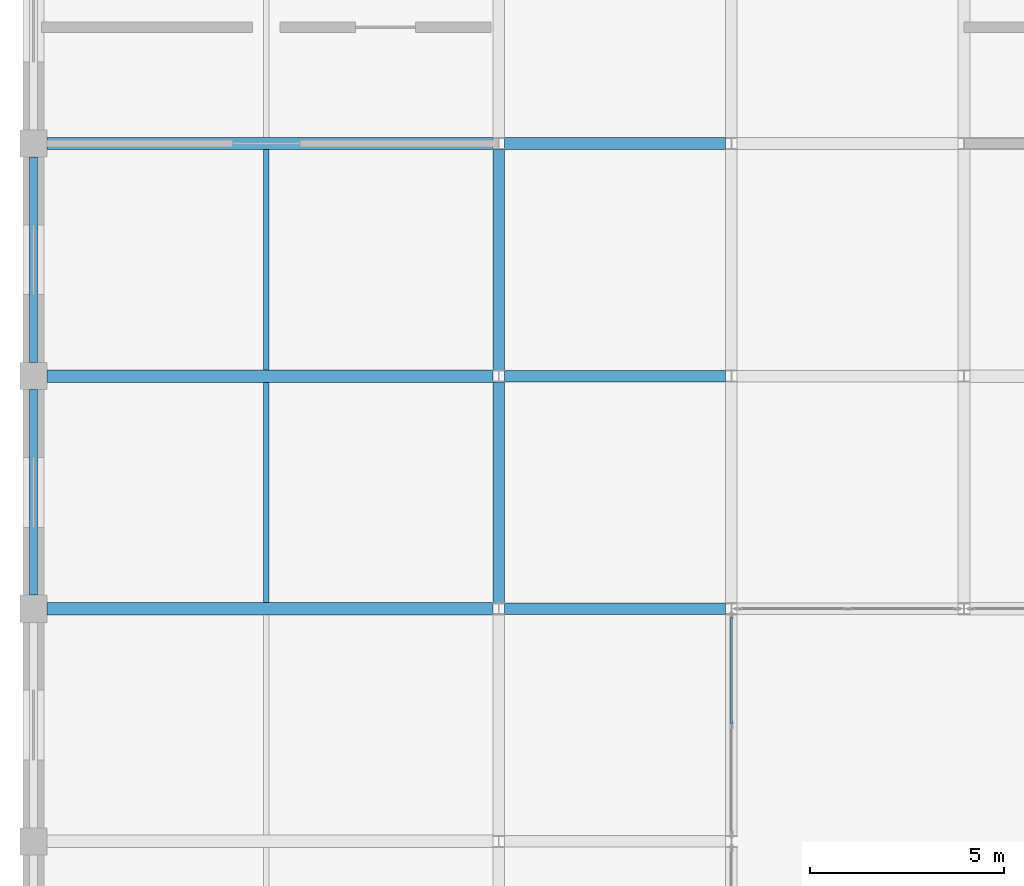
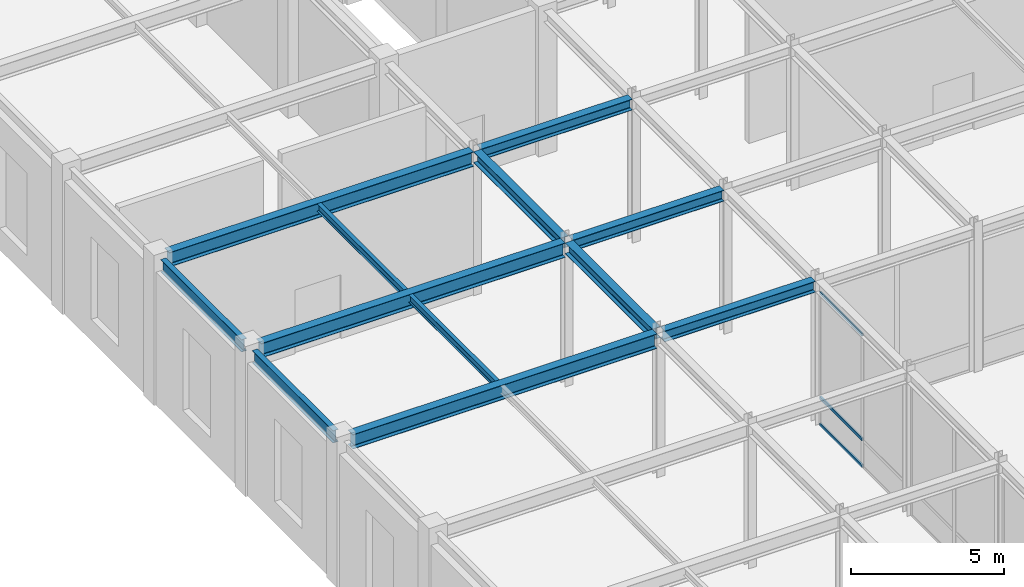
# One storey, part 68 of 108: 12 beams, 3 members, 1 element without a shape of its own.
"""IFC4 building model written with IfcOpenShell, lengths in metres."""

import ifcopenshell
import ifcopenshell.guid

model = None  # the IFC model being written
_history = None  # IfcOwnerHistory: only IFC2X3 demands one
_inside = {}  # id of a spatial element -> (the spatial element, [elements in it])
_under = {}  # id of a project, library or spatial element -> (it, [spatial elements below it])
_declared = {}  # id of a project -> (the project, [libraries it declares])
_typed = {}  # id of a type object -> (the type object, [elements of that type])
_made_of = {}  # id of a material, layer set ... -> (it, [elements and type objects made of it])


def new_model(schema):
    """Start an empty IFC model of exactly this schema.

    Asked for "IFC4X3", IfcOpenShell would pick the latest addendum, in which some entities
    have other attributes; the version numbers below select the first issue.
    IFC2X3 requires an IfcOwnerHistory on every rooted entity: one is made here for all.
    """
    global model, _history
    if schema == "IFC4X3":
        model = ifcopenshell.file(schema_version=(4, 3, 0, 0))
    else:
        model = ifcopenshell.file(schema=schema)
    _inside.clear()
    _under.clear()
    _declared.clear()
    _typed.clear()
    _made_of.clear()
    _history = None
    if model.schema == "IFC2X3":
        org = make("IfcOrganization", Name="unknown")
        user = make(
            "IfcPersonAndOrganization",
            ThePerson=make("IfcPerson", FamilyName="unknown"),
            TheOrganization=org,
        )
        app = make(
            "IfcApplication",
            ApplicationDeveloper=org,
            Version="unknown",
            ApplicationFullName="unknown",
            ApplicationIdentifier="unknown",
        )
        _history = make(
            "IfcOwnerHistory",
            OwningUser=user,
            OwningApplication=app,
            ChangeAction="ADDED",
            CreationDate=0,
        )
    return model


def make(cls, **values):
    """One entity of the class cls with the attributes given. An attribute that is None is left unset."""
    return model.create_entity(
        cls, **{name: value for name, value in values.items() if value is not None}
    )


def rooted(cls, **values):
    """An entity with a GlobalId (a new one), such as an element, a storey or a relation."""
    return make(cls, GlobalId=ifcopenshell.guid.new(), OwnerHistory=_history, **values)


def si_unit(unit_type, name, prefix=None):
    """IfcSIUnit, for example si_unit("LENGTHUNIT", "METRE", prefix="MILLI")."""
    return make("IfcSIUnit", UnitType=unit_type, Prefix=prefix, Name=name)


def assignment(units):
    """IfcUnitAssignment: the units of a project."""
    return None if units is None else make("IfcUnitAssignment", Units=units)


def point(xyz):
    """IfcCartesianPoint."""
    return None if xyz is None else make("IfcCartesianPoint", Coordinates=xyz)


def direction(xyz):
    """IfcDirection."""
    return None if xyz is None else make("IfcDirection", DirectionRatios=xyz)


def frame(location, z_axis=None, x_axis=None):
    """IfcAxis2Placement3D, a coordinate frame: its origin and axes. An axis left out is left unset."""
    return make(
        "IfcAxis2Placement3D",
        Location=point(location),
        Axis=direction(z_axis),
        RefDirection=direction(x_axis),
    )


def frame_2d(location, x_axis=None):
    """IfcAxis2Placement2D, a coordinate frame in the plane: its origin and x axis."""
    return make(
        "IfcAxis2Placement2D", Location=point(location), RefDirection=direction(x_axis)
    )


def origin():
    """The frame at (0, 0, 0) with its axes left unset."""
    return frame((0.0, 0.0, 0.0))


def origin_2d():
    """The frame at (0, 0) in the plane with its x axis left unset."""
    return frame_2d((0.0, 0.0))


def place(relative_to, where):
    """IfcLocalPlacement: puts the frame where relative to a parent placement (None: the world)."""
    return make(
        "IfcLocalPlacement", PlacementRelTo=relative_to, RelativePlacement=where
    )


def context(
    kind, dimensions, precision=None, world=None, true_north=None, identifier=None
):
    """IfcGeometricRepresentationContext, for example the 3D "Model" context."""
    return make(
        "IfcGeometricRepresentationContext",
        ContextIdentifier=identifier,
        ContextType=kind,
        CoordinateSpaceDimension=dimensions,
        Precision=precision,
        WorldCoordinateSystem=world,
        TrueNorth=true_north,
    )


def subcontext(parent, identifier, kind, view, scale=None):
    """IfcGeometricRepresentationSubContext, for example "Body" below "Model"."""
    return make(
        "IfcGeometricRepresentationSubContext",
        ContextIdentifier=identifier,
        ContextType=kind,
        ParentContext=parent,
        TargetScale=scale,
        TargetView=view,
    )


def project(units=None, contexts=None):
    """IfcProject with its units and contexts."""
    return rooted(
        "IfcProject",
        Name="project",
        RepresentationContexts=contexts,
        UnitsInContext=assignment(units),
    )


def spatial(cls, under=None, at=None, **own):
    """A site, building, storey or space (cls), placed at a placement, below another one or the project."""
    s = rooted(cls, ObjectPlacement=at, **own)
    if under is not None:
        _under.setdefault(under.id(), (under, []))[1].append(s)
    return s


def profile(cls, at=None, kind="AREA", **sizes):
    """A parametric profile (cls). Its sizes go by their IFC names, for example OverallWidth=200.0."""
    return make(cls, ProfileType=kind, Position=at, **sizes)


def hollow_rectangle(**sizes):
    """IfcRectangleHollowProfileDef."""
    return profile("IfcRectangleHollowProfileDef", **sizes)


def i_section(**sizes):
    """IfcIShapeProfileDef."""
    return profile("IfcIShapeProfileDef", **sizes)


def extrude(swept, where, along, depth):
    """IfcExtrudedAreaSolid: the profile swept, set in the frame where, extruded along a direction by depth."""
    return make(
        "IfcExtrudedAreaSolid",
        SweptArea=swept,
        Position=where,
        ExtrudedDirection=direction(along),
        Depth=depth,
    )


def shape(context_of_items, identifier, shape_type, items):
    """IfcShapeRepresentation: the items that make up one representation, for example the "Body"."""
    return make(
        "IfcShapeRepresentation",
        ContextOfItems=context_of_items,
        RepresentationIdentifier=identifier,
        RepresentationType=shape_type,
        Items=items,
    )


def material(Name=None, Category=None):
    """IfcMaterial."""
    return make("IfcMaterial", Name=Name, Category=Category)


def layer(
    of_material, thickness, ventilated=None, Name=None, Category=None, Priority=None
):
    """IfcMaterialLayer: one layer of a wall or slab, of a material (None: an air gap)."""
    return make(
        "IfcMaterialLayer",
        Material=of_material,
        LayerThickness=thickness,
        IsVentilated=ventilated,
        Name=Name,
        Category=Category,
        Priority=Priority,
    )


def layer_set(layers, Name=None):
    """IfcMaterialLayerSet."""
    return make("IfcMaterialLayerSet", MaterialLayers=layers, LayerSetName=Name)


def material_profile(
    of_material, cross_section, Name=None, Category=None, Priority=None
):
    """IfcMaterialProfile: a cross section and its material."""
    return make(
        "IfcMaterialProfile",
        Name=Name,
        Material=of_material,
        Profile=cross_section,
        Priority=Priority,
        Category=Category,
    )


def profile_set(profiles, Name=None, composite=None):
    """IfcMaterialProfileSet."""
    return make(
        "IfcMaterialProfileSet",
        Name=Name,
        MaterialProfiles=profiles,
        CompositeProfile=composite,
    )


def made_of(thing, what):
    """Note that an element or type object is made of a material, layer set ...; save() writes the relation."""
    if what is not None:
        _made_of.setdefault(what.id(), (what, []))[1].append(thing)
    return thing


def type_object(cls, material=None, **own):
    """A type object (cls), such as IfcWallType, which elements share."""
    return made_of(rooted(cls, **own), material)


def element(
    cls,
    number,
    at=None,
    inside=None,
    cuts=None,
    type_object=None,
    material=None,
    context=None,
    identifier="Body",
    shape_type=None,
    held_by="IfcProductDefinitionShape",
    body=None,
    shapes=None,
    **own,
):
    """One element of the class cls, such as IfcWall. Its Tag is "e" and its number.

    at: its placement. inside: the storey or other place that contains it. cuts: it is an
    opening in that element (IfcRelVoidsElement). A single representation is given by context,
    identifier, shape_type and body (its items); several are given by shapes. held_by: the class
    of the entity that holds the representations. save() writes the other relations.
    """
    e = rooted(cls, Tag="e%d" % number, ObjectPlacement=at, **own)
    if body is not None:
        shapes = [shape(context, identifier, shape_type, body)]
    if shapes is not None:
        e.Representation = make(held_by, Representations=shapes)
    if inside is not None:
        _inside.setdefault(inside.id(), (inside, []))[1].append(e)
    if cuts is not None:
        rooted(
            "IfcRelVoidsElement", RelatingBuildingElement=cuts, RelatedOpeningElement=e
        )
    if type_object is not None:
        _typed.setdefault(type_object.id(), (type_object, []))[1].append(e)
    return made_of(e, material)


def aggregate(whole, parts):
    """IfcRelAggregates: a whole, such as a stair, and the parts it consists of."""
    return rooted("IfcRelAggregates", RelatingObject=whole, RelatedObjects=parts)


def save(model, path):
    """Write the relations noted so far, then the file.

    IfcRelAggregates (storeys below a building ...), IfcRelContainedInSpatialStructure (elements
    in a storey), IfcRelDefinesByType, IfcRelAssociatesMaterial and IfcRelDeclares: one each for
    every whole, place, type object, material and project.
    """
    for whole, parts in _under.values():
        aggregate(whole, parts)
    for where, things in _inside.values():
        rooted(
            "IfcRelContainedInSpatialStructure",
            RelatedElements=things,
            RelatingStructure=where,
        )
    for kind, things in _typed.values():
        rooted("IfcRelDefinesByType", RelatedObjects=things, RelatingType=kind)
    for what, things in _made_of.values():
        rooted("IfcRelAssociatesMaterial", RelatedObjects=things, RelatingMaterial=what)
    for by, libraries in _declared.values():
        rooted("IfcRelDeclares", RelatingContext=by, RelatedDefinitions=libraries)
    model.write(path)


model = new_model("IFC4")

# Units and contexts
model_context = context("Model", 3, precision=1e-05, world=origin(), true_north=direction((0.0, 1.0)))
body_context = subcontext(model_context, "Body", "Model", "MODEL_VIEW")
ifc_project = project(units=[si_unit("LENGTHUNIT", "METRE"), si_unit("AREAUNIT", "SQUARE_METRE"), si_unit("VOLUMEUNIT", "CUBIC_METRE"), si_unit("PLANEANGLEUNIT", "RADIAN"), si_unit("MASSUNIT", "GRAM", prefix="KILO")], contexts=[model_context])

# Site, building, storey
site_placement = place(None, origin())
site = spatial("IfcSite", under=ifc_project, at=site_placement, CompositionType="ELEMENT")
building_placement = place(site_placement, origin())
building = spatial("IfcBuilding", under=site, at=building_placement, Name="Zlatovratsky Civic Hall", CompositionType="ELEMENT")
storey_placement = place(building_placement, frame((0.0, 0.0, 6.0)))
storey = spatial("IfcBuildingStorey", under=building, at=storey_placement, Name="L02", CompositionType="ELEMENT", Elevation=6.0)

# Beams
ifc_material_1 = material(Name="Steel S355", Category="steel")
ifc_material_profile_1 = material_profile(ifc_material_1, i_section(OverallWidth=0.320068359375, OverallDepth=0.58203125, WebThickness=0.011962890625, FlangeThickness=0.01708984375, FilletRadius=0.02392578125, at=origin_2d()), Name="60Sh1")
ifc_profile_set_1 = profile_set([ifc_material_profile_1], Name="Steel S355")
beam_type_1 = type_object("IfcBeamType", Name="Beam_PodiumGirder_60Sh1", PredefinedType="BEAM", material=ifc_profile_set_1)
for number, where, z_axis, x_axis, name in (
    (1, (0.35009765625, 66.0, 5.468994140625), (1.0, 0.0, 0.0), (0.0, 1.0, 0.0), "BM-1869"),
    (2, (0.35009765625, 72.0, 5.468994140625), (1.0, 0.0, 0.0), (0.0, 1.0, 0.0), "BM-1885"),
    (3, (0.35009765625, 78.0, 5.468994140625), (1.0, 0.0, 0.0), (0.0, 1.0, 0.0), "BM-1907"),
):
    element("IfcBeam", number, at=place(storey_placement, frame(where, z_axis=z_axis, x_axis=x_axis)), inside=storey, type_object=beam_type_1, Name=name, PredefinedType="BEAM", context=body_context, shape_type="SweptSolid", body=[
        extrude(i_section(OverallWidth=0.320068359375, OverallDepth=0.58203125, WebThickness=0.011962890625, FlangeThickness=0.01708984375, FilletRadius=0.02392578125, at=origin_2d()), origin(), (0.0, 0.0, 1.0), 11.5),
    ])
ifc_material_profile_2 = material_profile(ifc_material_1, i_section(OverallWidth=0.198974609375, OverallDepth=0.491943359375, WebThickness=0.0087890625, FlangeThickness=0.011962890625, FilletRadius=0.01611328125, at=origin_2d()), Name="50B1")
ifc_profile_set_2 = profile_set([ifc_material_profile_2], Name="Steel S355")
beam_type_2 = type_object("IfcBeamType", Name="Beam_Spandrel_50B1", PredefinedType="SPANDREL", material=ifc_profile_set_2)
for number, where, z_axis, x_axis, name in (
    (4, (0.0, 66.35009765625, 5.513916015625), (0.0, 1.0, 0.0), (-1.0, 0.0, 0.0), "BM-2066"),
    (5, (0.0, 72.35009765625, 5.513916015625), (0.0, 1.0, 0.0), (-1.0, 0.0, 0.0), "BM-2067"),
):
    element("IfcBeam", number, at=place(storey_placement, frame(where, z_axis=z_axis, x_axis=x_axis)), inside=storey, type_object=beam_type_2, Name=name, PredefinedType="SPANDREL", context=body_context, shape_type="SweptSolid", body=[
        extrude(i_section(OverallWidth=0.198974609375, OverallDepth=0.491943359375, WebThickness=0.0087890625, FlangeThickness=0.011962890625, FilletRadius=0.01611328125, at=origin_2d()), origin(), (0.0, 0.0, 1.0), 5.2998046875),
    ])
ifc_material_profile_3 = material_profile(ifc_material_1, i_section(OverallWidth=0.300048828125, OverallDepth=0.43994140625, WebThickness=0.010986328125, FlangeThickness=0.01806640625, FilletRadius=0.02197265625, at=origin_2d()), Name="45Sh1")
ifc_profile_set_3 = profile_set([ifc_material_profile_3], Name="Steel S355")
beam_type_3 = type_object("IfcBeamType", Name="Beam_TowerLow_45Sh1", PredefinedType="BEAM", material=ifc_profile_set_3)
for number, where, z_axis, x_axis, name in (
    (6, (12.14990234375, 66.0, 5.5400390625), (1.0, 0.0, 0.0), (0.0, 1.0, 0.0), "BM-1870"),
    (7, (12.14990234375, 72.0, 5.5400390625), (1.0, 0.0, 0.0), (0.0, 1.0, 0.0), "BM-1886"),
    (8, (12.14990234375, 78.0, 5.5400390625), (1.0, 0.0, 0.0), (0.0, 1.0, 0.0), "BM-1908"),
    (9, (12.0, 66.14990234375, 5.5400390625), (0.0, 1.0, 0.0), (-1.0, 0.0, 0.0), "BM-2083"),
    (10, (12.0, 72.14990234375, 5.5400390625), (0.0, 1.0, 0.0), (-1.0, 0.0, 0.0), "BM-2084"),
):
    element("IfcBeam", number, at=place(storey_placement, frame(where, z_axis=z_axis, x_axis=x_axis)), inside=storey, type_object=beam_type_3, Name=name, PredefinedType="BEAM", context=body_context, shape_type="SweptSolid", body=[
        extrude(i_section(OverallWidth=0.300048828125, OverallDepth=0.43994140625, WebThickness=0.010986328125, FlangeThickness=0.01806640625, FilletRadius=0.02197265625, at=origin_2d()), origin(), (0.0, 0.0, 1.0), 5.7001953125),
    ])

# Curtain wall, members
ifc_material_2 = material(Name="Anodised bronze aluminium", Category="aluminium")
ifc_layer = layer(ifc_material_2, 0.159912109375)
ifc_layer_set = layer_set([ifc_layer], Name="Anodised bronze aluminium")
curtain_wall_type = type_object("IfcCurtainWallType", Name="CurtainWall_Bronze_5700x5310_06", PredefinedType="NOTDEFINED", material=ifc_layer_set)
curtain_wall_placement = place(storey_placement, origin())
curtain_wall = element("IfcCurtainWall", 11, at=curtain_wall_placement, inside=storey, type_object=curtain_wall_type, Name="CW-020", PredefinedType="NOTDEFINED")
ifc_material_profile_4 = material_profile(ifc_material_2, hollow_rectangle(XDim=0.06005859375, YDim=0.1201171875, WallThickness=0.00390625, at=origin_2d()), Name="ALU 60x120x4")
ifc_profile_set_4 = profile_set([ifc_material_profile_4], Name="Anodised bronze aluminium")
member_type = type_object("IfcMemberType", Name="CW_Transom_60x120", PredefinedType="USERDEFINED", material=ifc_profile_set_4)
member_1_placement = place(storey_placement, frame((18.0, 63.030029296875, 0.030029296875), z_axis=(0.0, 1.0, 0.0), x_axis=(-1.0, 0.0, 0.0)))
member_1 = element("IfcMember", 12, at=member_1_placement, type_object=member_type, Name="CW-06 transom 2.1", ObjectType="TRANSOM", PredefinedType="USERDEFINED", context=body_context, shape_type="SweptSolid", body=[
    extrude(hollow_rectangle(XDim=0.06005859375, YDim=0.1201171875, WallThickness=0.00390625, at=origin_2d()), origin(), (0.0, 0.0, 1.0), 2.760009765625),
])
member_2_placement = place(storey_placement, frame((18.0, 63.030029296875, 1.10009765625), z_axis=(0.0, 1.0, 0.0), x_axis=(-1.0, 0.0, 0.0)))
member_2 = element("IfcMember", 13, at=member_2_placement, type_object=member_type, Name="CW-06 transom 2.2", ObjectType="TRANSOM", PredefinedType="USERDEFINED", context=body_context, shape_type="SweptSolid", body=[
    extrude(hollow_rectangle(XDim=0.06005859375, YDim=0.1201171875, WallThickness=0.00390625, at=origin_2d()), origin(), (0.0, 0.0, 1.0), 2.760009765625),
])
member_3_placement = place(storey_placement, frame((18.0, 63.030029296875, 5.280029296875), z_axis=(0.0, 1.0, 0.0), x_axis=(-1.0, 0.0, 0.0)))
member_3 = element("IfcMember", 14, at=member_3_placement, type_object=member_type, Name="CW-06 transom 2.3", ObjectType="TRANSOM", PredefinedType="USERDEFINED", context=body_context, shape_type="SweptSolid", body=[
    extrude(hollow_rectangle(XDim=0.06005859375, YDim=0.1201171875, WallThickness=0.00390625, at=origin_2d()), origin(), (0.0, 0.0, 1.0), 2.760009765625),
])
aggregate(curtain_wall, [member_1, member_2, member_3])

# Beams
ifc_material_profile_5 = material_profile(ifc_material_1, i_section(OverallWidth=0.14990234375, OverallDepth=0.300048828125, WebThickness=0.006591796875, FlangeThickness=0.009033203125, FilletRadius=0.012939453125, at=origin_2d()), Name="30B2")
ifc_profile_set_5 = profile_set([ifc_material_profile_5], Name="Steel S355")
beam_type_4 = type_object("IfcBeamType", Name="Joist_Podium_30B2", PredefinedType="JOIST", material=ifc_profile_set_5)
for number, where, z_axis, x_axis, name in (
    (15, (6.0, 66.159912109375, 5.610107421875), (0.0, 1.0, 0.0), (-1.0, 0.0, 0.0), "BM-2419"),
    (16, (6.0, 72.159912109375, 5.610107421875), (0.0, 1.0, 0.0), (-1.0, 0.0, 0.0), "BM-2425"),
):
    element("IfcBeam", number, at=place(storey_placement, frame(where, z_axis=z_axis, x_axis=x_axis)), inside=storey, type_object=beam_type_4, Name=name, PredefinedType="JOIST", context=body_context, shape_type="SweptSolid", body=[
        extrude(i_section(OverallWidth=0.14990234375, OverallDepth=0.300048828125, WebThickness=0.006591796875, FlangeThickness=0.009033203125, FilletRadius=0.012939453125, at=origin_2d()), origin(), (0.0, 0.0, 1.0), 5.68017578125),
    ])

save(model, "model.ifc")
